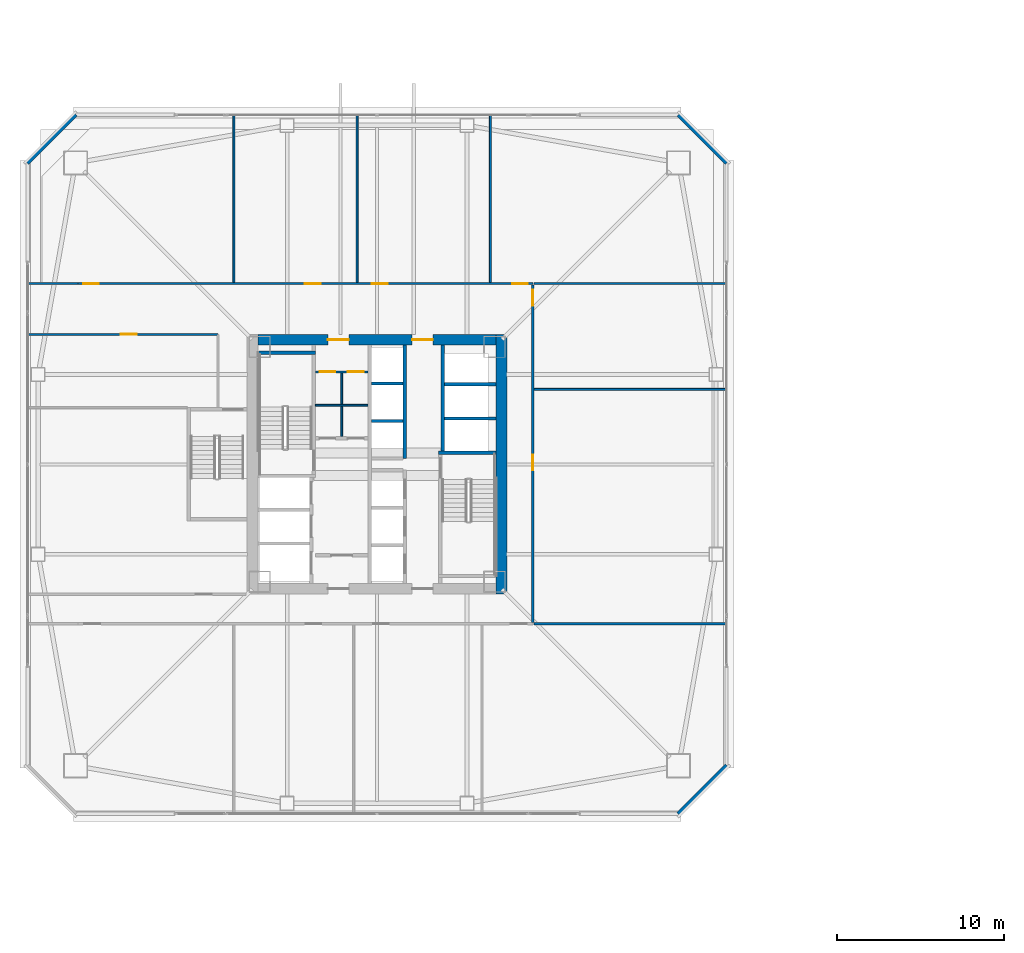
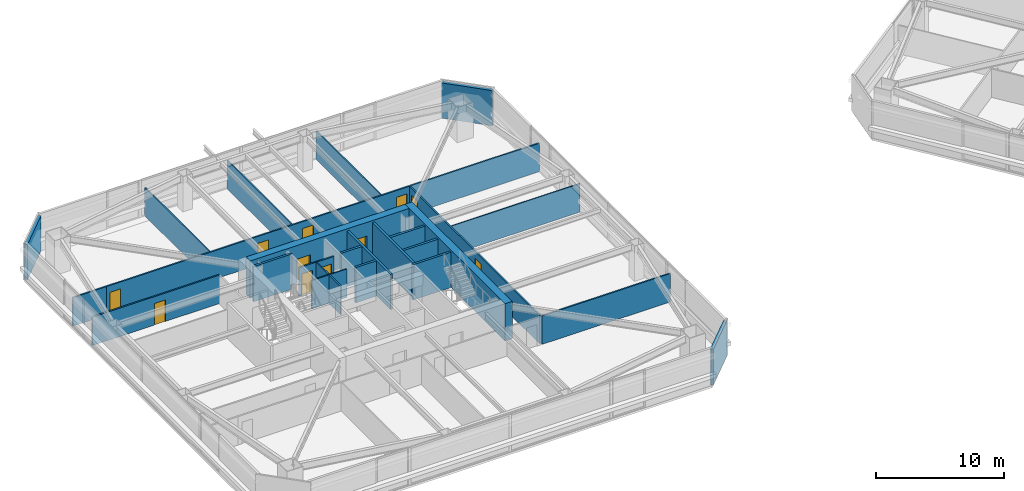
# One storey, part 34 of 44: 26 walls, 11 doors, 11 openings.
"""IFC4 building model written with IfcOpenShell, lengths in metres."""

from ifc_helpers import new_model, si_unit, direction, frame, frame_2d, origin, place, context, subcontext, project, spatial, rectangle, extrude, material, layer, layer_set, type_object, element, fill, save


model = new_model("IFC4")

# Units and contexts
model_context = context("Model", 3, precision=1e-05, world=origin(), true_north=direction((0.0, 1.0)))
body_context = subcontext(model_context, "Body", "Model", "MODEL_VIEW")
ifc_project = project(units=[si_unit("LENGTHUNIT", "METRE"), si_unit("AREAUNIT", "SQUARE_METRE"), si_unit("VOLUMEUNIT", "CUBIC_METRE"), si_unit("PLANEANGLEUNIT", "RADIAN"), si_unit("MASSUNIT", "GRAM", prefix="KILO")], contexts=[model_context])

# Site, building, storey
site_placement = place(None, origin())
site = spatial("IfcSite", under=ifc_project, at=site_placement, CompositionType="ELEMENT")
building_placement = place(site_placement, origin())
building = spatial("IfcBuilding", under=site, at=building_placement, Name="Tashvorn Skyway Center", CompositionType="ELEMENT")
storey_placement = place(building_placement, frame((0.0, 0.0, 74.300048828125)))
storey = spatial("IfcBuildingStorey", under=building, at=storey_placement, Name="L19", CompositionType="ELEMENT", Elevation=74.300048828125)

# Wall
ifc_material_1 = material(Name="Concrete C60/75", Category="concrete")
ifc_layer_1 = layer(ifc_material_1, 0.64990234375)
ifc_layer_set_1 = layer_set([ifc_layer_1], Name="Concrete C60/75")
wall_type_1 = type_object("IfcWallType", Name="WALL-CORE-650", PredefinedType="SHEAR", material=ifc_layer_set_1)
wall_1_placement = place(storey_placement, frame((49.47509765625, 39.800048828125, 0.0), z_axis=(0.0, 0.0, 1.0), x_axis=(0.0, -1.0, 0.0)))
element("IfcWall", 1, at=wall_1_placement, inside=storey, type_object=wall_type_1, Name="Tower 1 L19 East Core Shear Wall", PredefinedType="SHEAR", context=body_context, shape_type="SweptSolid", body=[
    extrude(rectangle(XDim=15.60009765625, YDim=0.64990234375, at=frame_2d((7.800048828125, 0.0))), origin(), (0.0, 0.0, 1.0), 3.550048828125),
])

# Wall, openings, doors
wall_2_placement = place(storey_placement, frame((34.85009765625, 39.47509765625, 0.0), z_axis=(0.0, 0.0, 1.0), x_axis=(1.0, 0.0, 0.0)))
wall_2 = element("IfcWall", 2, at=wall_2_placement, inside=storey, type_object=wall_type_1, Name="Tower 1 L19 North Core Shear Wall", PredefinedType="SHEAR", context=body_context, shape_type="SweptSolid", body=[
    extrude(rectangle(XDim=14.2998046875, YDim=0.64990234375, at=frame_2d((7.14990234375, 0.0))), origin(), (0.0, 0.0, 1.0), 3.550048828125),
])
opening_1_placement = place(wall_2_placement, frame((4.199951171875, 0.0, 0.0)))
opening_1 = element("IfcOpeningElement", 3, at=opening_1_placement, cuts=wall_2, Name="Opening D-FFL-1250", PredefinedType="OPENING", context=body_context, shape_type="SweptSolid", body=[
    extrude(rectangle(XDim=1.25, YDim=2.25, at=frame_2d((0.625, 1.125))), frame((0.0, 0.3349609375, 0.0), z_axis=(0.0, -1.0, 0.0), x_axis=(1.0, 0.0, 0.0)), (0.0, 0.0, 1.0), 0.669921875),
])
opening_2_placement = place(wall_2_placement, frame((9.25, 0.0, 0.0)))
opening_2 = element("IfcOpeningElement", 4, at=opening_2_placement, cuts=wall_2, Name="Opening D-FFL-1250", PredefinedType="OPENING", context=body_context, shape_type="SweptSolid", body=[
    extrude(rectangle(XDim=1.25, YDim=2.25, at=frame_2d((0.625, 1.125))), frame((0.0, 0.3349609375, 0.0), z_axis=(0.0, -1.0, 0.0), x_axis=(1.0, 0.0, 0.0)), (0.0, 0.0, 1.0), 0.669921875),
])
ifc_material_2 = material(Name="Hollow galvanized steel fire door assembly", Category="steel")
door_type_1 = type_object("IfcDoorType", Name="DOOR-FFL-1250", OperationType="NOTDEFINED", PredefinedType="DOOR", material=ifc_material_2)
door_1_placement = place(opening_1_placement, origin())
door_1 = element("IfcDoor", 5, at=door_1_placement, inside=storey, type_object=door_type_1, Name="Tower 1 L19 Core North Service Lobby Door", OperationType="SINGLE_SWING_LEFT", OverallHeight=2.25, OverallWidth=1.25, PredefinedType="DOOR", context=body_context, shape_type="SweptSolid", body=[
    extrude(rectangle(XDim=1.25, YDim=2.25, at=frame_2d((0.625, 1.125))), frame((0.0, 0.02490234375, 0.0), z_axis=(0.0, -1.0, 0.0), x_axis=(1.0, 0.0, 0.0)), (0.0, 0.0, 1.0), 0.050048828125),
])
fill(opening_1, door_1)
door_2_placement = place(opening_2_placement, origin())
door_2 = element("IfcDoor", 6, at=door_2_placement, inside=storey, type_object=door_type_1, Name="Tower 1 L19 Core North Lift Lobby Door", OperationType="SINGLE_SWING_RIGHT", OverallHeight=2.25, OverallWidth=1.25, PredefinedType="DOOR", context=body_context, shape_type="SweptSolid", body=[
    extrude(rectangle(XDim=1.25, YDim=2.25, at=frame_2d((0.625, 1.125))), frame((0.0, 0.02490234375, 0.0), z_axis=(0.0, -1.0, 0.0), x_axis=(1.0, 0.0, 0.0)), (0.0, 0.0, 1.0), 0.050048828125),
])
fill(opening_2, door_2)

# Walls
ifc_material_3 = material(Name="Precast concrete C40/50", Category="concrete")
ifc_layer_2 = layer(ifc_material_3, 0.280029296875)
ifc_layer_set_2 = layer_set([ifc_layer_2], Name="Precast concrete C40/50")
wall_type_2 = type_object("IfcWallType", Name="WALL-EXT-280", PredefinedType="SOLIDWALL", material=ifc_layer_set_2)
for number, where, z_axis, x_axis, name in (
    (7, (21.0, 50.10009765625, 0.0), (0.0, 0.0, 1.0), (0.707106781187, 0.707106781187, 0.0), "Tower 1 L19 NW Precast Chamfer Wall"),
    (8, (60.10009765625, 53.0, 0.0), (0.0, 0.0, 1.0), (0.707106781187, -0.707106781187, 0.0), "Tower 1 L19 NE Precast Chamfer Wall"),
    (9, (63.0, 13.89990234375, 0.0), (0.0, 0.0, 1.0), (-0.707106781187, -0.707106781187, 0.0), "Tower 1 L19 SE Precast Chamfer Wall"),
):
    element("IfcWall", number, at=place(storey_placement, frame(where, z_axis=z_axis, x_axis=x_axis)), inside=storey, type_object=wall_type_2, Name=name, PredefinedType="SOLIDWALL", context=body_context, shape_type="SweptSolid", body=[
        extrude(rectangle(XDim=4.10107421875, YDim=0.280029296875, at=frame_2d((2.050537109375, 0.0))), origin(), (0.0, 0.0, 1.0), 3.349853515625),
    ])
ifc_material_4 = material(Name="Gypsum board on cold-formed steel stud framing", Category="steel")
ifc_layer_3 = layer(ifc_material_4, 0.110107421875)
ifc_layer_set_3 = layer_set([ifc_layer_3], Name="Gypsum board on cold-formed steel stud framing")
wall_type_3 = type_object("IfcWallType", Name="WALL-PART-110", PredefinedType="PARTITIONING", material=ifc_layer_set_3)
for number, where, z_axis, x_axis, name in (
    (10, (33.39990234375, 42.929931640625, 0.0), (0.0, 0.0, 1.0), (0.0, 1.0, 0.0), "Tower 1 L19 North Suite Partition 1"),
    (11, (40.800048828125, 42.929931640625, 0.0), (0.0, 0.0, 1.0), (0.0, 1.0, 0.0), "Tower 1 L19 North Suite Partition 2"),
    (12, (48.800048828125, 42.929931640625, 0.0), (0.0, 0.0, 1.0), (0.0, 1.0, 0.0), "Tower 1 L19 North Suite Partition 3"),
):
    element("IfcWall", number, at=place(storey_placement, frame(where, z_axis=z_axis, x_axis=x_axis)), inside=storey, type_object=wall_type_3, Name=name, PredefinedType="PARTITIONING", context=body_context, shape_type="SweptSolid", body=[
        extrude(rectangle(XDim=10.050048828125, YDim=0.110107421875, at=frame_2d((5.02490234375, 0.0))), origin(), (0.0, 0.0, 1.0), 2.702880859375),
    ])
wall_3_placement = place(storey_placement, frame((51.429931640625, 36.5, 0.0), z_axis=(0.0, 0.0, 1.0), x_axis=(1.0, 0.0, 0.0)))
element("IfcWall", 13, at=wall_3_placement, inside=storey, type_object=wall_type_3, Name="Tower 1 L19 East Suite Partition 1", PredefinedType="PARTITIONING", context=body_context, shape_type="SweptSolid", body=[
    extrude(rectangle(XDim=11.550048828125, YDim=0.110107421875, at=frame_2d((5.77490234375, 0.0))), origin(), (0.0, 0.0, 1.0), 2.702880859375),
])

# Wall, openings, doors
ifc_layer_4 = layer(ifc_material_4, 0.135009765625)
ifc_layer_set_4 = layer_set([ifc_layer_4], Name="Gypsum board on cold-formed steel stud framing")
wall_type_4 = type_object("IfcWallType", Name="WALL-PART-135", PredefinedType="PARTITIONING", material=ifc_layer_set_4)
wall_4_placement = place(storey_placement, frame((24.050048828125, 42.85009765625, 0.0), z_axis=(0.0, 0.0, 1.0), x_axis=(1.0, 0.0, 0.0)))
wall_4 = element("IfcWall", 14, at=wall_4_placement, inside=storey, type_object=wall_type_4, Name="Tower 1 L19 North Suite Wall", PredefinedType="PARTITIONING", context=body_context, shape_type="SweptSolid", body=[
    extrude(rectangle(XDim=27.300048828125, YDim=0.135009765625, at=frame_2d((13.64990234375, 0.0))), origin(), (0.0, 0.0, 1.0), 2.702880859375),
])
opening_3_placement = place(wall_4_placement, frame((0.300048828125, 0.0, 0.0)))
opening_3 = element("IfcOpeningElement", 15, at=opening_3_placement, cuts=wall_4, Name="Opening D-INT-950", PredefinedType="OPENING", context=body_context, shape_type="SweptSolid", body=[
    extrude(rectangle(XDim=0.949951171875, YDim=2.050048828125, at=frame_2d((0.47509765625, 1.02490234375))), frame((0.0, 0.077392578125, 0.0), z_axis=(0.0, -1.0, 0.0), x_axis=(1.0, 0.0, 0.0)), (0.0, 0.0, 1.0), 0.155029296875),
])
opening_4_placement = place(wall_4_placement, frame((13.609619140625, 0.0, 0.0)))
opening_4 = element("IfcOpeningElement", 16, at=opening_4_placement, cuts=wall_4, Name="Opening D-INT-950", PredefinedType="OPENING", context=body_context, shape_type="SweptSolid", body=[
    extrude(rectangle(XDim=0.949951171875, YDim=2.050048828125, at=frame_2d((0.47509765625, 1.02490234375))), frame((0.0, 0.077392578125, 0.0), z_axis=(0.0, -1.0, 0.0), x_axis=(1.0, 0.0, 0.0)), (0.0, 0.0, 1.0), 0.155029296875),
])
opening_5_placement = place(wall_4_placement, frame((17.63330078125, 0.0, 0.0)))
opening_5 = element("IfcOpeningElement", 17, at=opening_5_placement, cuts=wall_4, Name="Opening D-INT-950", PredefinedType="OPENING", context=body_context, shape_type="SweptSolid", body=[
    extrude(rectangle(XDim=0.949951171875, YDim=2.050048828125, at=frame_2d((0.47509765625, 1.02490234375))), frame((0.0, 0.077392578125, 0.0), z_axis=(0.0, -1.0, 0.0), x_axis=(1.0, 0.0, 0.0)), (0.0, 0.0, 1.0), 0.155029296875),
])
opening_6_placement = place(wall_4_placement, frame((26.050048828125, 0.0, 0.0)))
opening_6 = element("IfcOpeningElement", 18, at=opening_6_placement, cuts=wall_4, Name="Opening D-INT-950", PredefinedType="OPENING", context=body_context, shape_type="SweptSolid", body=[
    extrude(rectangle(XDim=0.949951171875, YDim=2.050048828125, at=frame_2d((0.47509765625, 1.02490234375))), frame((0.0, 0.077392578125, 0.0), z_axis=(0.0, -1.0, 0.0), x_axis=(1.0, 0.0, 0.0)), (0.0, 0.0, 1.0), 0.155029296875),
])
ifc_material_5 = material(Name="Solid-core architectural oak veneer door")
door_type_2 = type_object("IfcDoorType", Name="DOOR-INT-950", OperationType="NOTDEFINED", PredefinedType="DOOR", material=ifc_material_5)
door_3_placement = place(opening_3_placement, origin())
door_3 = element("IfcDoor", 19, at=door_3_placement, inside=storey, type_object=door_type_2, Name="Tower 1 L19 Conference Room Door", OperationType="SINGLE_SWING_RIGHT", OverallHeight=2.050048828125, OverallWidth=0.949951171875, PredefinedType="DOOR", context=body_context, shape_type="SweptSolid", body=[
    extrude(rectangle(XDim=0.949951171875, YDim=2.050048828125, at=frame_2d((0.47509765625, 1.02490234375))), frame((0.0, 0.02490234375, 0.0), z_axis=(0.0, -1.0, 0.0), x_axis=(1.0, 0.0, 0.0)), (0.0, 0.0, 1.0), 0.050048828125),
])
fill(opening_3, door_3)
door_4_placement = place(opening_4_placement, origin())
door_4 = element("IfcDoor", 20, at=door_4_placement, inside=storey, type_object=door_type_2, Name="Tower 1 L19 Conference Room Door", OperationType="SINGLE_SWING_LEFT", OverallHeight=2.050048828125, OverallWidth=0.949951171875, PredefinedType="DOOR", context=body_context, shape_type="SweptSolid", body=[
    extrude(rectangle(XDim=0.949951171875, YDim=2.050048828125, at=frame_2d((0.47509765625, 1.02490234375))), frame((0.0, 0.02490234375, 0.0), z_axis=(0.0, -1.0, 0.0), x_axis=(1.0, 0.0, 0.0)), (0.0, 0.0, 1.0), 0.050048828125),
])
fill(opening_4, door_4)
door_5_placement = place(opening_5_placement, origin())
door_5 = element("IfcDoor", 21, at=door_5_placement, inside=storey, type_object=door_type_2, Name="Tower 1 L19 Boardroom Door", OperationType="SINGLE_SWING_RIGHT", OverallHeight=2.050048828125, OverallWidth=0.949951171875, PredefinedType="DOOR", context=body_context, shape_type="SweptSolid", body=[
    extrude(rectangle(XDim=0.949951171875, YDim=2.050048828125, at=frame_2d((0.47509765625, 1.02490234375))), frame((0.0, 0.02490234375, 0.0), z_axis=(0.0, -1.0, 0.0), x_axis=(1.0, 0.0, 0.0)), (0.0, 0.0, 1.0), 0.050048828125),
])
fill(opening_5, door_5)
door_6_placement = place(opening_6_placement, origin())
door_6 = element("IfcDoor", 22, at=door_6_placement, inside=storey, type_object=door_type_2, Name="Tower 1 L19 Gallery Showroom Door", OperationType="SINGLE_SWING_LEFT", OverallHeight=2.050048828125, OverallWidth=0.949951171875, PredefinedType="DOOR", context=body_context, shape_type="SweptSolid", body=[
    extrude(rectangle(XDim=0.949951171875, YDim=2.050048828125, at=frame_2d((0.47509765625, 1.02490234375))), frame((0.0, 0.02490234375, 0.0), z_axis=(0.0, -1.0, 0.0), x_axis=(1.0, 0.0, 0.0)), (0.0, 0.0, 1.0), 0.050048828125),
])
fill(opening_6, door_6)

# Wall
wall_5_placement = place(storey_placement, frame((21.02001953125, 42.85009765625, 0.0), z_axis=(0.0, 0.0, 1.0), x_axis=(1.0, 0.0, 0.0)))
element("IfcWall", 23, at=wall_5_placement, inside=storey, type_object=wall_type_4, Name="Tower 1 L19 North-West Suite South Wall", PredefinedType="PARTITIONING", context=body_context, shape_type="SweptSolid", body=[
    extrude(rectangle(XDim=3.030029296875, YDim=0.135009765625, at=frame_2d((1.51513671875, 0.0))), origin(), (0.0, 0.0, 1.0), 2.702880859375),
])

# Wall, openings, doors
wall_6_placement = place(storey_placement, frame((51.35009765625, 42.77001953125, 0.0), z_axis=(0.0, 0.0, 1.0), x_axis=(0.0, -1.0, 0.0)))
wall_6 = element("IfcWall", 24, at=wall_6_placement, inside=storey, type_object=wall_type_4, Name="Tower 1 L19 East Inner Suite Wall", PredefinedType="PARTITIONING", context=body_context, shape_type="SweptSolid", body=[
    extrude(rectangle(XDim=20.260009765625, YDim=0.135009765625, at=frame_2d((10.1298828125, 0.0))), origin(), (0.0, 0.0, 1.0), 2.702880859375),
])
opening_7_placement = place(wall_6_placement, frame((10.181396484375, 0.0, 0.0)))
opening_7 = element("IfcOpeningElement", 25, at=opening_7_placement, cuts=wall_6, Name="Opening D-INT-950", PredefinedType="OPENING", context=body_context, shape_type="SweptSolid", body=[
    extrude(rectangle(XDim=0.949951171875, YDim=2.050048828125, at=frame_2d((0.47509765625, 1.02490234375))), frame((0.0, 0.077392578125, 0.0), z_axis=(0.0, -1.0, 0.0), x_axis=(1.0, 0.0, 0.0)), (0.0, 0.0, 1.0), 0.155029296875),
])
opening_8_placement = place(wall_6_placement, frame((0.300048828125, 0.0, 0.0)))
opening_8 = element("IfcOpeningElement", 26, at=opening_8_placement, cuts=wall_6, Name="Opening D-INT-950", PredefinedType="OPENING", context=body_context, shape_type="SweptSolid", body=[
    extrude(rectangle(XDim=0.949951171875, YDim=2.050048828125, at=frame_2d((0.47509765625, 1.02490234375))), frame((0.0, 0.077392578125, 0.0), z_axis=(0.0, -1.0, 0.0), x_axis=(1.0, 0.0, 0.0)), (0.0, 0.0, 1.0), 0.155029296875),
])
door_7_placement = place(opening_7_placement, origin())
door_7 = element("IfcDoor", 27, at=door_7_placement, inside=storey, type_object=door_type_2, Name="Tower 1 L19 Gallery Showroom Door", OperationType="SINGLE_SWING_RIGHT", OverallHeight=2.050048828125, OverallWidth=0.949951171875, PredefinedType="DOOR", context=body_context, shape_type="SweptSolid", body=[
    extrude(rectangle(XDim=0.949951171875, YDim=2.050048828125, at=frame_2d((0.47509765625, 1.02490234375))), frame((0.0, 0.02490234375, 0.0), z_axis=(0.0, -1.0, 0.0), x_axis=(1.0, 0.0, 0.0)), (0.0, 0.0, 1.0), 0.050048828125),
])
fill(opening_7, door_7)
door_8_placement = place(opening_8_placement, origin())
door_8 = element("IfcDoor", 28, at=door_8_placement, inside=storey, type_object=door_type_2, Name="Tower 1 L19 Public Restroom Door", OperationType="SINGLE_SWING_LEFT", OverallHeight=2.050048828125, OverallWidth=0.949951171875, PredefinedType="DOOR", context=body_context, shape_type="SweptSolid", body=[
    extrude(rectangle(XDim=0.949951171875, YDim=2.050048828125, at=frame_2d((0.47509765625, 1.02490234375))), frame((0.0, 0.02490234375, 0.0), z_axis=(0.0, -1.0, 0.0), x_axis=(1.0, 0.0, 0.0)), (0.0, 0.0, 1.0), 0.050048828125),
])
fill(opening_8, door_8)

# Walls
for number, where, z_axis, x_axis, name in (
    (29, (62.97998046875, 42.85009765625, 0.0), (0.0, 0.0, 1.0), (-1.0, 0.0, 0.0), "Tower 1 L19 East Suite North Wall"),
    (30, (51.429931640625, 22.429931640625, 0.0), (0.0, 0.0, 1.0), (1.0, 0.0, 0.0), "Tower 1 L19 East Suite South Wall"),
):
    element("IfcWall", number, at=place(storey_placement, frame(where, z_axis=z_axis, x_axis=x_axis)), inside=storey, type_object=wall_type_4, Name=name, PredefinedType="PARTITIONING", context=body_context, shape_type="SweptSolid", body=[
        extrude(rectangle(XDim=11.550048828125, YDim=0.135009765625, at=frame_2d((5.77490234375, 0.0))), origin(), (0.0, 0.0, 1.0), 2.702880859375),
    ])

# Wall, opening, door
wall_7_placement = place(storey_placement, frame((32.449951171875, 39.800048828125, 0.0), z_axis=(0.0, 0.0, 1.0), x_axis=(-1.0, 0.0, 0.0)))
wall_7 = element("IfcWall", 31, at=wall_7_placement, inside=storey, type_object=wall_type_4, Name="Tower 1 L19 West Suite North Wall", PredefinedType="PARTITIONING", context=body_context, shape_type="SweptSolid", body=[
    extrude(rectangle(XDim=11.429931640625, YDim=0.135009765625, at=frame_2d((5.71484375, 0.0))), origin(), (0.0, 0.0, 1.0), 2.702880859375),
])
opening_9_placement = place(wall_7_placement, frame((4.889892578125, 0.0, 0.0)))
opening_9 = element("IfcOpeningElement", 32, at=opening_9_placement, cuts=wall_7, Name="Opening D-INT-950", PredefinedType="OPENING", context=body_context, shape_type="SweptSolid", body=[
    extrude(rectangle(XDim=0.949951171875, YDim=2.050048828125, at=frame_2d((0.47509765625, 1.02490234375))), frame((0.0, 0.077392578125, 0.0), z_axis=(0.0, -1.0, 0.0), x_axis=(1.0, 0.0, 0.0)), (0.0, 0.0, 1.0), 0.155029296875),
])
door_9_placement = place(opening_9_placement, origin())
door_9 = element("IfcDoor", 33, at=door_9_placement, inside=storey, type_object=door_type_2, Name="Tower 1 L19 Catering Pantry Door", OperationType="SINGLE_SWING_RIGHT", OverallHeight=2.050048828125, OverallWidth=0.949951171875, PredefinedType="DOOR", context=body_context, shape_type="SweptSolid", body=[
    extrude(rectangle(XDim=0.949951171875, YDim=2.050048828125, at=frame_2d((0.47509765625, 1.02490234375))), frame((0.0, 0.02490234375, 0.0), z_axis=(0.0, -1.0, 0.0), x_axis=(1.0, 0.0, 0.0)), (0.0, 0.0, 1.0), 0.050048828125),
])
fill(opening_9, door_9)

# Walls
ifc_layer_5 = layer(ifc_material_4, 0.110107421875)
ifc_layer_set_5 = layer_set([ifc_layer_5], Name="Gypsum board on cold-formed steel stud framing")
wall_type_5 = type_object("IfcWallType", Name="WALL-RATED-110", PredefinedType="PARTITIONING", material=ifc_layer_set_5)
wall_8_placement = place(storey_placement, frame((39.8798828125, 33.679931640625, 0.0), z_axis=(0.0, 0.0, 1.0), x_axis=(0.0, 1.0, 0.0)))
element("IfcWall", 34, at=wall_8_placement, inside=storey, type_object=wall_type_5, Name="Tower 1 L19 Core Cross Vertical", PredefinedType="PARTITIONING", context=body_context, shape_type="SweptSolid", body=[
    extrude(rectangle(XDim=3.800048828125, YDim=0.110107421875, at=frame_2d((1.89990234375, 0.0))), origin(), (0.0, 0.0, 1.0), 2.702880859375),
])
wall_9_placement = place(storey_placement, frame((38.300048828125, 35.550048828125, 0.0), z_axis=(0.0, 0.0, 1.0), x_axis=(1.0, 0.0, 0.0)))
element("IfcWall", 35, at=wall_9_placement, inside=storey, type_object=wall_type_5, Name="Tower 1 L19 Core Cross Horizontal", PredefinedType="PARTITIONING", context=body_context, shape_type="SweptSolid", body=[
    extrude(rectangle(XDim=3.14990234375, YDim=0.110107421875, at=frame_2d((1.574951171875, 0.0))), origin(), (0.0, 0.0, 1.0), 2.702880859375),
])

# Wall, openings, doors
ifc_layer_6 = layer(ifc_material_4, 0.135009765625)
ifc_layer_set_6 = layer_set([ifc_layer_6], Name="Gypsum board on cold-formed steel stud framing")
wall_type_6 = type_object("IfcWallType", Name="WALL-RATED-135", PredefinedType="PARTITIONING", material=ifc_layer_set_6)
wall_10_placement = place(storey_placement, frame((38.300048828125, 37.550048828125, 0.0), z_axis=(0.0, 0.0, 1.0), x_axis=(1.0, 0.0, 0.0)))
wall_10 = element("IfcWall", 36, at=wall_10_placement, inside=storey, type_object=wall_type_6, Name="Tower 1 L19 Core Service Lobby Wall", PredefinedType="PARTITIONING", context=body_context, shape_type="SweptSolid", body=[
    extrude(rectangle(XDim=3.14990234375, YDim=0.135009765625, at=frame_2d((1.574951171875, 0.0))), origin(), (0.0, 0.0, 1.0), 2.702880859375),
])
opening_10_placement = place(wall_10_placement, frame((0.25, 0.0, 0.0)))
opening_10 = element("IfcOpeningElement", 37, at=opening_10_placement, cuts=wall_10, Name="Opening D-RT-950", PredefinedType="OPENING", context=body_context, shape_type="SweptSolid", body=[
    extrude(rectangle(XDim=0.949951171875, YDim=2.050048828125, at=frame_2d((0.47509765625, 1.02490234375))), frame((0.0, 0.077392578125, 0.0), z_axis=(0.0, -1.0, 0.0), x_axis=(1.0, 0.0, 0.0)), (0.0, 0.0, 1.0), 0.155029296875),
])
opening_11_placement = place(wall_10_placement, frame((1.949951171875, 0.0, 0.0)))
opening_11 = element("IfcOpeningElement", 38, at=opening_11_placement, cuts=wall_10, Name="Opening D-RT-950", PredefinedType="OPENING", context=body_context, shape_type="SweptSolid", body=[
    extrude(rectangle(XDim=0.949951171875, YDim=2.050048828125, at=frame_2d((0.47509765625, 1.02490234375))), frame((0.0, 0.077392578125, 0.0), z_axis=(0.0, -1.0, 0.0), x_axis=(1.0, 0.0, 0.0)), (0.0, 0.0, 1.0), 0.155029296875),
])
door_type_3 = type_object("IfcDoorType", Name="DOOR-RATED-950", OperationType="NOTDEFINED", PredefinedType="DOOR", material=ifc_material_2)
door_10_placement = place(opening_10_placement, origin())
door_10 = element("IfcDoor", 39, at=door_10_placement, inside=storey, type_object=door_type_3, Name="Tower 1 L19 Core Cleaner Store Door", OperationType="SINGLE_SWING_LEFT", OverallHeight=2.050048828125, OverallWidth=0.949951171875, PredefinedType="DOOR", context=body_context, shape_type="SweptSolid", body=[
    extrude(rectangle(XDim=0.949951171875, YDim=2.050048828125, at=frame_2d((0.47509765625, 1.02490234375))), frame((0.0, 0.02490234375, 0.0), z_axis=(0.0, -1.0, 0.0), x_axis=(1.0, 0.0, 0.0)), (0.0, 0.0, 1.0), 0.050048828125),
])
fill(opening_10, door_10)
door_11_placement = place(opening_11_placement, origin())
door_11 = element("IfcDoor", 40, at=door_11_placement, inside=storey, type_object=door_type_3, Name="Tower 1 L19 Core Accessible WC Door", OperationType="SINGLE_SWING_RIGHT", OverallHeight=2.050048828125, OverallWidth=0.949951171875, PredefinedType="DOOR", context=body_context, shape_type="SweptSolid", body=[
    extrude(rectangle(XDim=0.949951171875, YDim=2.050048828125, at=frame_2d((0.47509765625, 1.02490234375))), frame((0.0, 0.02490234375, 0.0), z_axis=(0.0, -1.0, 0.0), x_axis=(1.0, 0.0, 0.0)), (0.0, 0.0, 1.0), 0.050048828125),
])
fill(opening_11, door_11)

# Walls
ifc_material_6 = material(Name="Concrete C40/50", Category="concrete")
ifc_layer_7 = layer(ifc_material_6, 0.199951171875)
ifc_layer_set_7 = layer_set([ifc_layer_7], Name="Concrete C40/50")
wall_type_7 = type_object("IfcWallType", Name="WALL-SHAFT-200", PredefinedType="SOLIDWALL", material=ifc_layer_set_7)
for number, where, z_axis, x_axis, name in (
    (41, (46.050048828125, 34.75, 0.0), (0.0, 0.0, 1.0), (1.0, 0.0, 0.0), "Tower 1 L19 High-Rise Shaft Divider"),
    (42, (46.050048828125, 36.800048828125, 0.0), (0.0, 0.0, 1.0), (1.0, 0.0, 0.0), "Tower 1 L19 High-Rise Shaft Divider"),
):
    element("IfcWall", number, at=place(storey_placement, frame(where, z_axis=z_axis, x_axis=x_axis)), inside=storey, type_object=wall_type_7, Name=name, PredefinedType="SOLIDWALL", context=body_context, shape_type="SweptSolid", body=[
        extrude(rectangle(XDim=3.099853515625, YDim=0.199951171875, at=frame_2d((1.5498046875, 0.0))), origin(), (0.0, 0.0, 1.0), 3.349853515625),
    ])
wall_11_placement = place(storey_placement, frame((43.64990234375, 32.35009765625, 0.0), z_axis=(0.0, 0.0, 1.0), x_axis=(0.0, 1.0, 0.0)))
element("IfcWall", 43, at=wall_11_placement, inside=storey, type_object=wall_type_7, Name="Tower 1 L19 Mid-Rise Core Wall", PredefinedType="SOLIDWALL", context=body_context, shape_type="SweptSolid", body=[
    extrude(rectangle(XDim=6.7998046875, YDim=0.199951171875, at=frame_2d((3.39990234375, 0.0))), origin(), (0.0, 0.0, 1.0), 3.349853515625),
])
for number, where, z_axis, x_axis, name in (
    (44, (41.669921875, 34.60009765625, 0.0), (0.0, 0.0, 1.0), (1.0, 0.0, 0.0), "Tower 1 L19 Mid-Rise Shaft Divider"),
    (45, (41.669921875, 36.85009765625, 0.0), (0.0, 0.0, 1.0), (1.0, 0.0, 0.0), "Tower 1 L19 Mid-Rise Shaft Divider"),
):
    element("IfcWall", number, at=place(storey_placement, frame(where, z_axis=z_axis, x_axis=x_axis)), inside=storey, type_object=wall_type_7, Name=name, PredefinedType="SOLIDWALL", context=body_context, shape_type="SweptSolid", body=[
        extrude(rectangle(XDim=1.880126953125, YDim=0.199951171875, at=frame_2d((0.93994140625, 0.0))), origin(), (0.0, 0.0, 1.0), 3.349853515625),
    ])
ifc_layer_8 = layer(ifc_material_6, 0.199951171875)
ifc_layer_set_8 = layer_set([ifc_layer_8], Name="Concrete C40/50")
wall_type_8 = type_object("IfcWallType", Name="WALL-STSHF-200", PredefinedType="SHEAR", material=ifc_layer_set_8)
for number, where, z_axis, x_axis, name in (
    (46, (34.85009765625, 38.699951171875, 0.0), (0.0, 0.0, 1.0), (1.0, 0.0, 0.0), "Tower 1 L19 Stair 1 North Wall"),
    (47, (45.699951171875, 32.699951171875, 0.0), (0.0, 0.0, 1.0), (1.0, 0.0, 0.0), "Tower 1 L19 Stair 2 North Wall"),
):
    element("IfcWall", number, at=place(storey_placement, frame(where, z_axis=z_axis, x_axis=x_axis)), inside=storey, type_object=wall_type_8, Name=name, PredefinedType="SHEAR", context=body_context, shape_type="SweptSolid", body=[
        extrude(rectangle(XDim=3.449951171875, YDim=0.199951171875, at=frame_2d((1.72509765625, 0.0))), origin(), (0.0, 0.0, 1.0), 3.349853515625),
    ])
wall_12_placement = place(storey_placement, frame((45.949951171875, 39.14990234375, 0.0), z_axis=(0.0, 0.0, 1.0), x_axis=(0.0, -1.0, 0.0)))
element("IfcWall", 48, at=wall_12_placement, inside=storey, type_object=wall_type_8, Name="Tower 1 L19 High-Rise Lift Shaft Front Wall", PredefinedType="SHEAR", context=body_context, shape_type="SweptSolid", body=[
    extrude(rectangle(XDim=6.349853515625, YDim=0.199951171875, at=frame_2d((3.1748046875, 0.0))), origin(), (0.0, 0.0, 1.0), 3.349853515625),
])

save(model, "model.ifc")
